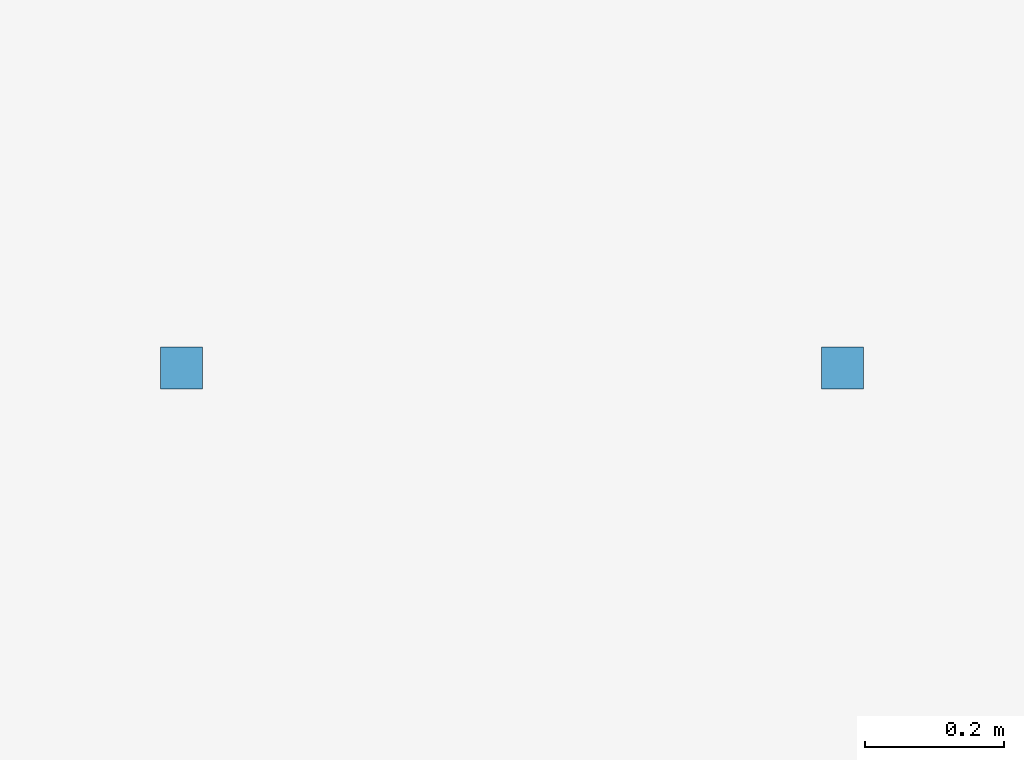
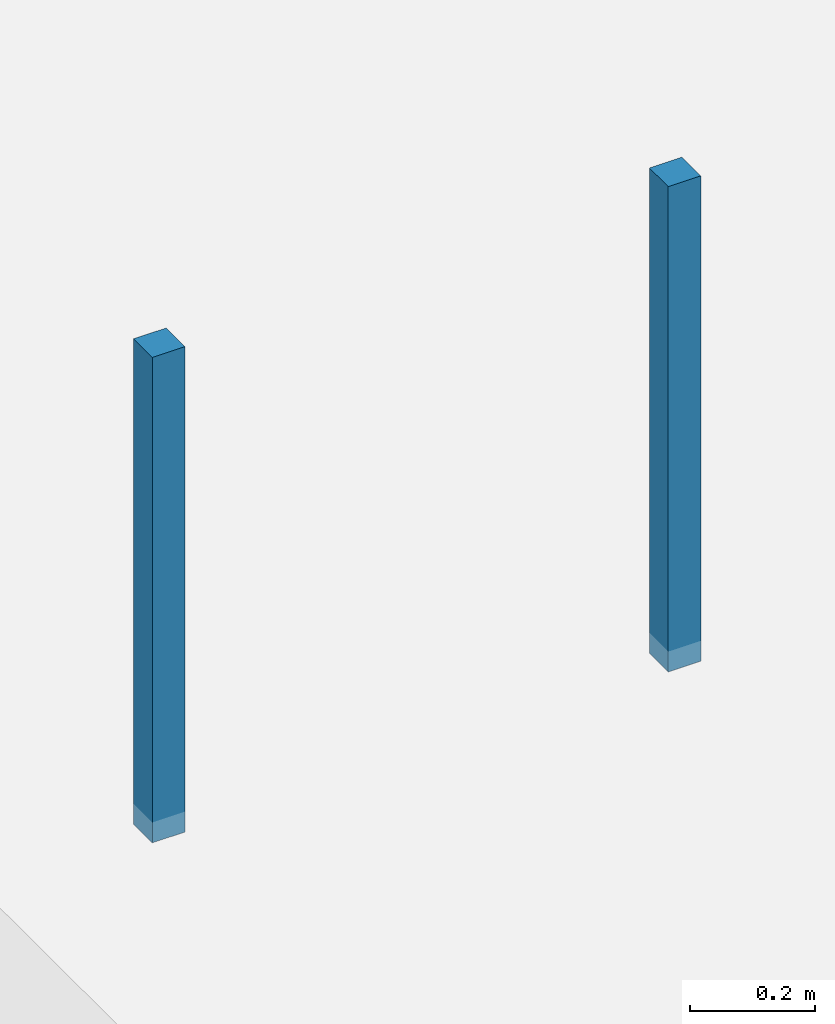
# One storey, part 67 of 122: 2 discrete accessories.
"""IFC4 building model written with IfcOpenShell, lengths in metres."""

from ifc_helpers import new_model, si_unit, direction, frame, origin, origin_2d, place, context, subcontext, project, spatial, rectangle, extrude, material, type_object, element, save


model = new_model("IFC4")

# Units and contexts
model_context = context("Model", 3, precision=1e-05, world=origin(), true_north=direction((0.0, 1.0)))
body_context = subcontext(model_context, "Body", "Model", "MODEL_VIEW")
ifc_project = project(units=[si_unit("LENGTHUNIT", "METRE"), si_unit("AREAUNIT", "SQUARE_METRE"), si_unit("VOLUMEUNIT", "CUBIC_METRE"), si_unit("PLANEANGLEUNIT", "RADIAN"), si_unit("MASSUNIT", "GRAM", prefix="KILO")], contexts=[model_context])

# Site, building, storey
site_placement = place(None, origin())
site = spatial("IfcSite", under=ifc_project, at=site_placement, CompositionType="ELEMENT")
building_placement = place(site_placement, origin())
building = spatial("IfcBuilding", under=site, at=building_placement, Name="Telukmera Botanical Conservatory", CompositionType="ELEMENT")
storey_placement = place(building_placement, frame((0.0, 0.0, 10.199951171875)))
storey = spatial("IfcBuildingStorey", under=building, at=storey_placement, Name="L02", CompositionType="ELEMENT", Elevation=10.199951171875)

# Discrete accessories
ifc_material = material(Name="Steel S355", Category="steel")
discrete_accessory_type = type_object("IfcDiscreteAccessoryType", Name="ACC-CEIL-HGR", PredefinedType="BRACKET", material=ifc_material)
for number, where, z_axis, x_axis, name in (
    (1, (69.353271484375, 40.46240234375, 3.60986328125), (0.0, 0.0, 1.0), (1.0, 0.0, 0.0), "L02 Suspended Ceiling Hanger Rod 046-1"),
    (2, (70.303466796875, 40.46240234375, 3.60986328125), (0.0, 0.0, 1.0), (1.0, 0.0, 0.0), "L02 Suspended Ceiling Hanger Rod 046-2"),
):
    element("IfcDiscreteAccessory", number, at=place(storey_placement, frame(where, z_axis=z_axis, x_axis=x_axis)), inside=storey, type_object=discrete_accessory_type, Name=name, PredefinedType="BRACKET", context=body_context, shape_type="SweptSolid", body=[
        extrude(rectangle(XDim=0.06005859375, YDim=0.06005859375, at=origin_2d()), origin(), (0.0, 0.0, 1.0), 0.945068359375),
    ])

save(model, "model.ifc")
